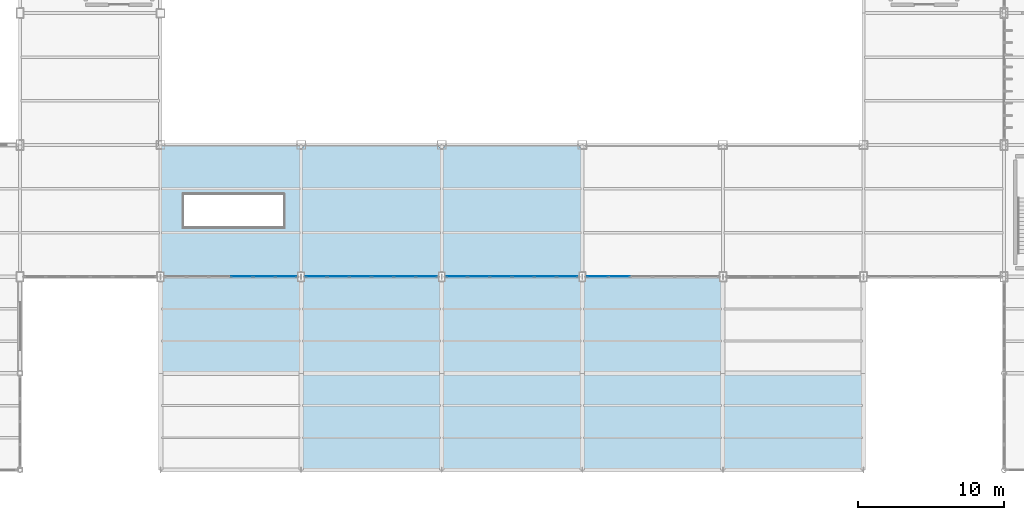
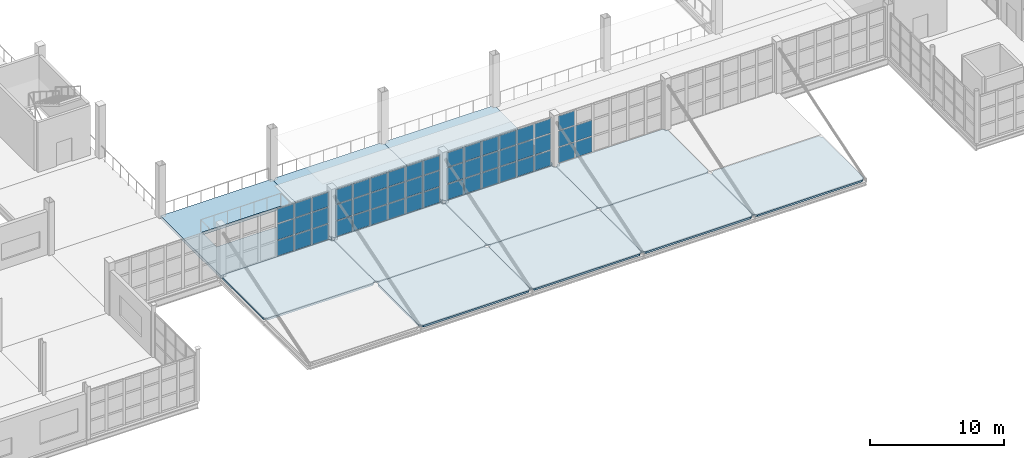
# One storey, part 77 of 120: 50 plates, 11 slabs, 4 elements without a shape of their own.
"""IFC4 building model written with IfcOpenShell, lengths in metres."""

from ifc_helpers import new_model, si_unit, direction, frame, origin, origin_2d, place, context, subcontext, project, spatial, polyline, rectangle, outline, extrude, material, layer, layer_set, type_object, element, aggregate, save


model = new_model("IFC4")

# Units and contexts
model_context = context("Model", 3, precision=1e-05, world=origin(), true_north=direction((0.0, 1.0)))
body_context = subcontext(model_context, "Body", "Model", "MODEL_VIEW")
ifc_project = project(units=[si_unit("LENGTHUNIT", "METRE"), si_unit("AREAUNIT", "SQUARE_METRE"), si_unit("VOLUMEUNIT", "CUBIC_METRE"), si_unit("PLANEANGLEUNIT", "RADIAN"), si_unit("MASSUNIT", "GRAM", prefix="KILO")], contexts=[model_context])

# Site, building, storey
site_placement = place(None, origin())
site = spatial("IfcSite", under=ifc_project, at=site_placement, CompositionType="ELEMENT")
building_placement = place(site_placement, origin())
building = spatial("IfcBuilding", under=site, at=building_placement, Name="Zarnetskaya Central Station", CompositionType="ELEMENT")
storey_placement = place(building_placement, frame((0.0, 0.0, 5.39990234375)))
storey = spatial("IfcBuildingStorey", under=building, at=storey_placement, Name="L01", CompositionType="ELEMENT", Elevation=5.39990234375)

# Curtain wall, plates
ifc_material_1 = material(Name="Low-E insulated glass", Category="glass")
ifc_layer_1 = layer(ifc_material_1, 0.159912109375, Name="Low-E insulated glass", Category="glass")
ifc_layer_set_1 = layer_set([ifc_layer_1], Name="Low-E insulated glass")
curtain_wall_type_1 = type_object("IfcCurtainWallType", Name="CW-SYS-11", PredefinedType="USERDEFINED", material=ifc_layer_set_1)
curtain_wall_1_placement = place(storey_placement, origin())
curtain_wall_1 = element("IfcCurtainWall", 1, at=curtain_wall_1_placement, inside=storey, type_object=curtain_wall_type_1, Name="Curtain wall CW-L01-080", ObjectType="CURTAIN WALL", PredefinedType="USERDEFINED")
ifc_layer_2 = layer(ifc_material_1, 0.028076171875, Name="Low-E insulated glass", Category="glass")
ifc_layer_set_2 = layer_set([ifc_layer_2], Name="Low-E insulated glass")
plate_type_1 = type_object("IfcPlateType", Name="CW-PAN-28", PredefinedType="CURTAIN_PANEL", material=ifc_layer_set_2)
plate_1_placement = place(storey_placement, frame((94.9716796875, 13.199951171875, 0.080078125), z_axis=(0.0, 0.0, 1.0), x_axis=(-1.0, 0.0, 0.0)))
plate_1 = element("IfcPlate", 2, at=plate_1_placement, type_object=plate_type_1, Name="CW-09 panel 1.1", PredefinedType="CURTAIN_PANEL", context=body_context, shape_type="SweptSolid", body=[
    extrude(rectangle(XDim=1.396728515625, YDim=0.028076171875, at=origin_2d()), origin(), (0.0, 0.0, 1.0), 1.39306640625),
])
plate_2_placement = place(storey_placement, frame((94.9716796875, 13.199951171875, 1.552978515625), z_axis=(0.0, 0.0, 1.0), x_axis=(-1.0, 0.0, 0.0)))
plate_2 = element("IfcPlate", 3, at=plate_2_placement, type_object=plate_type_1, Name="CW-09 panel 1.2", PredefinedType="CURTAIN_PANEL", context=body_context, shape_type="SweptSolid", body=[
    extrude(rectangle(XDim=1.396728515625, YDim=0.028076171875, at=origin_2d()), origin(), (0.0, 0.0, 1.0), 1.43310546875),
])
plate_3_placement = place(storey_placement, frame((94.9716796875, 13.199951171875, 3.06591796875), z_axis=(0.0, 0.0, 1.0), x_axis=(-1.0, 0.0, 0.0)))
plate_3 = element("IfcPlate", 4, at=plate_3_placement, type_object=plate_type_1, Name="CW-09 panel 1.3", PredefinedType="CURTAIN_PANEL", context=body_context, shape_type="SweptSolid", body=[
    extrude(rectangle(XDim=1.396728515625, YDim=0.028076171875, at=origin_2d()), origin(), (0.0, 0.0, 1.0), 1.303955078125),
])
plate_4_placement = place(storey_placement, frame((93.47509765625, 13.199951171875, 0.080078125), z_axis=(0.0, 0.0, 1.0), x_axis=(-1.0, 0.0, 0.0)))
plate_4 = element("IfcPlate", 5, at=plate_4_placement, type_object=plate_type_1, Name="CW-09 panel 2.1", PredefinedType="CURTAIN_PANEL", context=body_context, shape_type="SweptSolid", body=[
    extrude(rectangle(XDim=1.436767578125, YDim=0.028076171875, at=origin_2d()), origin(), (0.0, 0.0, 1.0), 1.39306640625),
])
plate_5_placement = place(storey_placement, frame((93.47509765625, 13.199951171875, 1.552978515625), z_axis=(0.0, 0.0, 1.0), x_axis=(-1.0, 0.0, 0.0)))
plate_5 = element("IfcPlate", 6, at=plate_5_placement, type_object=plate_type_1, Name="CW-09 panel 2.2", PredefinedType="CURTAIN_PANEL", context=body_context, shape_type="SweptSolid", body=[
    extrude(rectangle(XDim=1.436767578125, YDim=0.028076171875, at=origin_2d()), origin(), (0.0, 0.0, 1.0), 1.43310546875),
])
plate_6_placement = place(storey_placement, frame((93.47509765625, 13.199951171875, 3.06591796875), z_axis=(0.0, 0.0, 1.0), x_axis=(-1.0, 0.0, 0.0)))
plate_6 = element("IfcPlate", 7, at=plate_6_placement, type_object=plate_type_1, Name="CW-09 panel 2.3", PredefinedType="CURTAIN_PANEL", context=body_context, shape_type="SweptSolid", body=[
    extrude(rectangle(XDim=1.436767578125, YDim=0.028076171875, at=origin_2d()), origin(), (0.0, 0.0, 1.0), 1.303955078125),
])
plate_7_placement = place(storey_placement, frame((91.958251953125, 13.199951171875, 0.080078125), z_axis=(0.0, 0.0, 1.0), x_axis=(-1.0, 0.0, 0.0)))
plate_7 = element("IfcPlate", 8, at=plate_7_placement, type_object=plate_type_1, Name="CW-09 panel 3.1", PredefinedType="CURTAIN_PANEL", context=body_context, shape_type="SweptSolid", body=[
    extrude(rectangle(XDim=1.436767578125, YDim=0.028076171875, at=origin_2d()), origin(), (0.0, 0.0, 1.0), 1.39306640625),
])
plate_8_placement = place(storey_placement, frame((91.958251953125, 13.199951171875, 1.552978515625), z_axis=(0.0, 0.0, 1.0), x_axis=(-1.0, 0.0, 0.0)))
plate_8 = element("IfcPlate", 9, at=plate_8_placement, type_object=plate_type_1, Name="CW-09 panel 3.2", PredefinedType="CURTAIN_PANEL", context=body_context, shape_type="SweptSolid", body=[
    extrude(rectangle(XDim=1.436767578125, YDim=0.028076171875, at=origin_2d()), origin(), (0.0, 0.0, 1.0), 1.43310546875),
])
plate_9_placement = place(storey_placement, frame((91.958251953125, 13.199951171875, 3.06591796875), z_axis=(0.0, 0.0, 1.0), x_axis=(-1.0, 0.0, 0.0)))
plate_9 = element("IfcPlate", 10, at=plate_9_placement, type_object=plate_type_1, Name="CW-09 panel 3.3", PredefinedType="CURTAIN_PANEL", context=body_context, shape_type="SweptSolid", body=[
    extrude(rectangle(XDim=1.436767578125, YDim=0.028076171875, at=origin_2d()), origin(), (0.0, 0.0, 1.0), 1.303955078125),
])
plate_10_placement = place(storey_placement, frame((90.441650390625, 13.199951171875, 0.080078125), z_axis=(0.0, 0.0, 1.0), x_axis=(-1.0, 0.0, 0.0)))
plate_10 = element("IfcPlate", 11, at=plate_10_placement, type_object=plate_type_1, Name="CW-09 panel 4.1", PredefinedType="CURTAIN_PANEL", context=body_context, shape_type="SweptSolid", body=[
    extrude(rectangle(XDim=1.436767578125, YDim=0.028076171875, at=origin_2d()), origin(), (0.0, 0.0, 1.0), 1.39306640625),
])
plate_11_placement = place(storey_placement, frame((90.441650390625, 13.199951171875, 1.552978515625), z_axis=(0.0, 0.0, 1.0), x_axis=(-1.0, 0.0, 0.0)))
plate_11 = element("IfcPlate", 12, at=plate_11_placement, type_object=plate_type_1, Name="CW-09 panel 4.2", PredefinedType="CURTAIN_PANEL", context=body_context, shape_type="SweptSolid", body=[
    extrude(rectangle(XDim=1.436767578125, YDim=0.028076171875, at=origin_2d()), origin(), (0.0, 0.0, 1.0), 1.43310546875),
])
plate_12_placement = place(storey_placement, frame((90.441650390625, 13.199951171875, 3.06591796875), z_axis=(0.0, 0.0, 1.0), x_axis=(-1.0, 0.0, 0.0)))
plate_12 = element("IfcPlate", 13, at=plate_12_placement, type_object=plate_type_1, Name="CW-09 panel 4.3", PredefinedType="CURTAIN_PANEL", context=body_context, shape_type="SweptSolid", body=[
    extrude(rectangle(XDim=1.436767578125, YDim=0.028076171875, at=origin_2d()), origin(), (0.0, 0.0, 1.0), 1.303955078125),
])
plate_13_placement = place(storey_placement, frame((88.925048828125, 13.199951171875, 0.080078125), z_axis=(0.0, 0.0, 1.0), x_axis=(-1.0, 0.0, 0.0)))
plate_13 = element("IfcPlate", 14, at=plate_13_placement, type_object=plate_type_1, Name="CW-09 panel 5.1", PredefinedType="CURTAIN_PANEL", context=body_context, shape_type="SweptSolid", body=[
    extrude(rectangle(XDim=1.436767578125, YDim=0.028076171875, at=origin_2d()), origin(), (0.0, 0.0, 1.0), 1.39306640625),
])
plate_14_placement = place(storey_placement, frame((88.925048828125, 13.199951171875, 1.552978515625), z_axis=(0.0, 0.0, 1.0), x_axis=(-1.0, 0.0, 0.0)))
plate_14 = element("IfcPlate", 15, at=plate_14_placement, type_object=plate_type_1, Name="CW-09 panel 5.2", PredefinedType="CURTAIN_PANEL", context=body_context, shape_type="SweptSolid", body=[
    extrude(rectangle(XDim=1.436767578125, YDim=0.028076171875, at=origin_2d()), origin(), (0.0, 0.0, 1.0), 1.43310546875),
])
plate_15_placement = place(storey_placement, frame((88.925048828125, 13.199951171875, 3.06591796875), z_axis=(0.0, 0.0, 1.0), x_axis=(-1.0, 0.0, 0.0)))
plate_15 = element("IfcPlate", 16, at=plate_15_placement, type_object=plate_type_1, Name="CW-09 panel 5.3", PredefinedType="CURTAIN_PANEL", context=body_context, shape_type="SweptSolid", body=[
    extrude(rectangle(XDim=1.436767578125, YDim=0.028076171875, at=origin_2d()), origin(), (0.0, 0.0, 1.0), 1.303955078125),
])
plate_16_placement = place(storey_placement, frame((87.42822265625, 13.199951171875, 0.080078125), z_axis=(0.0, 0.0, 1.0), x_axis=(-1.0, 0.0, 0.0)))
plate_16 = element("IfcPlate", 17, at=plate_16_placement, type_object=plate_type_1, Name="CW-09 panel 6.1", PredefinedType="CURTAIN_PANEL", context=body_context, shape_type="SweptSolid", body=[
    extrude(rectangle(XDim=1.396728515625, YDim=0.028076171875, at=origin_2d()), origin(), (0.0, 0.0, 1.0), 1.39306640625),
])
plate_17_placement = place(storey_placement, frame((87.42822265625, 13.199951171875, 1.552978515625), z_axis=(0.0, 0.0, 1.0), x_axis=(-1.0, 0.0, 0.0)))
plate_17 = element("IfcPlate", 18, at=plate_17_placement, type_object=plate_type_1, Name="CW-09 panel 6.2", PredefinedType="CURTAIN_PANEL", context=body_context, shape_type="SweptSolid", body=[
    extrude(rectangle(XDim=1.396728515625, YDim=0.028076171875, at=origin_2d()), origin(), (0.0, 0.0, 1.0), 1.43310546875),
])
plate_18_placement = place(storey_placement, frame((87.42822265625, 13.199951171875, 3.06591796875), z_axis=(0.0, 0.0, 1.0), x_axis=(-1.0, 0.0, 0.0)))
plate_18 = element("IfcPlate", 19, at=plate_18_placement, type_object=plate_type_1, Name="CW-09 panel 6.3", PredefinedType="CURTAIN_PANEL", context=body_context, shape_type="SweptSolid", body=[
    extrude(rectangle(XDim=1.396728515625, YDim=0.028076171875, at=origin_2d()), origin(), (0.0, 0.0, 1.0), 1.303955078125),
])
aggregate(curtain_wall_1, [plate_1, plate_2, plate_3, plate_4, plate_5, plate_6, plate_7, plate_8, plate_9, plate_10, plate_11, plate_12, plate_13, plate_14, plate_15, plate_16, plate_17, plate_18])

ifc_layer_3 = layer(ifc_material_1, 0.172119140625, Name="Low-E insulated glass", Category="glass")
ifc_layer_set_3 = layer_set([ifc_layer_3], Name="Low-E insulated glass")
curtain_wall_type_2 = type_object("IfcCurtainWallType", Name="CW-SYS-09", PredefinedType="USERDEFINED", material=ifc_layer_set_3)
curtain_wall_2_placement = place(storey_placement, origin())
curtain_wall_2 = element("IfcCurtainWall", 20, at=curtain_wall_2_placement, inside=storey, type_object=curtain_wall_type_2, Name="Curtain wall CW-L01-076", ObjectType="CURTAIN WALL", PredefinedType="USERDEFINED")
ifc_layer_4 = layer(ifc_material_1, 0.031982421875, Name="Low-E insulated glass", Category="glass")
ifc_layer_set_4 = layer_set([ifc_layer_4], Name="Low-E insulated glass")
plate_type_2 = type_object("IfcPlateType", Name="CW-PAN-32", PredefinedType="CURTAIN_PANEL", material=ifc_layer_set_4)
plate_19_placement = place(storey_placement, frame((75.771728515625, 13.199951171875, 0.080078125), z_axis=(0.0, 0.0, 1.0), x_axis=(-1.0, 0.0, 0.0)))
plate_19 = element("IfcPlate", 21, at=plate_19_placement, type_object=plate_type_2, Name="CW-07 panel 1.1", PredefinedType="CURTAIN_PANEL", context=body_context, shape_type="SweptSolid", body=[
    extrude(rectangle(XDim=1.396728515625, YDim=0.031982421875, at=origin_2d()), origin(), (0.0, 0.0, 1.0), 1.39306640625),
])
plate_20_placement = place(storey_placement, frame((75.771728515625, 13.199951171875, 1.552978515625), z_axis=(0.0, 0.0, 1.0), x_axis=(-1.0, 0.0, 0.0)))
plate_20 = element("IfcPlate", 22, at=plate_20_placement, type_object=plate_type_2, Name="CW-07 panel 1.2", PredefinedType="CURTAIN_PANEL", context=body_context, shape_type="SweptSolid", body=[
    extrude(rectangle(XDim=1.396728515625, YDim=0.031982421875, at=origin_2d()), origin(), (0.0, 0.0, 1.0), 1.43310546875),
])
plate_21_placement = place(storey_placement, frame((75.771728515625, 13.199951171875, 3.06591796875), z_axis=(0.0, 0.0, 1.0), x_axis=(-1.0, 0.0, 0.0)))
plate_21 = element("IfcPlate", 23, at=plate_21_placement, type_object=plate_type_2, Name="CW-07 panel 1.3", PredefinedType="CURTAIN_PANEL", context=body_context, shape_type="SweptSolid", body=[
    extrude(rectangle(XDim=1.396728515625, YDim=0.031982421875, at=origin_2d()), origin(), (0.0, 0.0, 1.0), 1.303955078125),
])
plate_22_placement = place(storey_placement, frame((74.27490234375, 13.199951171875, 0.080078125), z_axis=(0.0, 0.0, 1.0), x_axis=(-1.0, 0.0, 0.0)))
plate_22 = element("IfcPlate", 24, at=plate_22_placement, type_object=plate_type_2, Name="CW-07 panel 2.1", PredefinedType="CURTAIN_PANEL", context=body_context, shape_type="SweptSolid", body=[
    extrude(rectangle(XDim=1.436767578125, YDim=0.031982421875, at=origin_2d()), origin(), (0.0, 0.0, 1.0), 1.39306640625),
])
plate_23_placement = place(storey_placement, frame((74.27490234375, 13.199951171875, 1.552978515625), z_axis=(0.0, 0.0, 1.0), x_axis=(-1.0, 0.0, 0.0)))
plate_23 = element("IfcPlate", 25, at=plate_23_placement, type_object=plate_type_2, Name="CW-07 panel 2.2", PredefinedType="CURTAIN_PANEL", context=body_context, shape_type="SweptSolid", body=[
    extrude(rectangle(XDim=1.436767578125, YDim=0.031982421875, at=origin_2d()), origin(), (0.0, 0.0, 1.0), 1.43310546875),
])
plate_24_placement = place(storey_placement, frame((74.27490234375, 13.199951171875, 3.06591796875), z_axis=(0.0, 0.0, 1.0), x_axis=(-1.0, 0.0, 0.0)))
plate_24 = element("IfcPlate", 26, at=plate_24_placement, type_object=plate_type_2, Name="CW-07 panel 2.3", PredefinedType="CURTAIN_PANEL", context=body_context, shape_type="SweptSolid", body=[
    extrude(rectangle(XDim=1.436767578125, YDim=0.031982421875, at=origin_2d()), origin(), (0.0, 0.0, 1.0), 1.303955078125),
])
plate_25_placement = place(storey_placement, frame((72.75830078125, 13.199951171875, 0.080078125), z_axis=(0.0, 0.0, 1.0), x_axis=(-1.0, 0.0, 0.0)))
plate_25 = element("IfcPlate", 27, at=plate_25_placement, type_object=plate_type_2, Name="CW-07 panel 3.1", PredefinedType="CURTAIN_PANEL", context=body_context, shape_type="SweptSolid", body=[
    extrude(rectangle(XDim=1.436767578125, YDim=0.031982421875, at=origin_2d()), origin(), (0.0, 0.0, 1.0), 1.39306640625),
])
plate_26_placement = place(storey_placement, frame((72.75830078125, 13.199951171875, 1.552978515625), z_axis=(0.0, 0.0, 1.0), x_axis=(-1.0, 0.0, 0.0)))
plate_26 = element("IfcPlate", 28, at=plate_26_placement, type_object=plate_type_2, Name="CW-07 panel 3.2", PredefinedType="CURTAIN_PANEL", context=body_context, shape_type="SweptSolid", body=[
    extrude(rectangle(XDim=1.436767578125, YDim=0.031982421875, at=origin_2d()), origin(), (0.0, 0.0, 1.0), 1.43310546875),
])
plate_27_placement = place(storey_placement, frame((72.75830078125, 13.199951171875, 3.06591796875), z_axis=(0.0, 0.0, 1.0), x_axis=(-1.0, 0.0, 0.0)))
plate_27 = element("IfcPlate", 29, at=plate_27_placement, type_object=plate_type_2, Name="CW-07 panel 3.3", PredefinedType="CURTAIN_PANEL", context=body_context, shape_type="SweptSolid", body=[
    extrude(rectangle(XDim=1.436767578125, YDim=0.031982421875, at=origin_2d()), origin(), (0.0, 0.0, 1.0), 1.303955078125),
])
aggregate(curtain_wall_2, [plate_19, plate_20, plate_21, plate_22, plate_23, plate_24, plate_25, plate_26, plate_27])

ifc_layer_5 = layer(ifc_material_1, 0.1640625, Name="Low-E insulated glass", Category="glass")
ifc_layer_set_5 = layer_set([ifc_layer_5], Name="Low-E insulated glass")
curtain_wall_type_3 = type_object("IfcCurtainWallType", Name="CW-SYS-12", PredefinedType="USERDEFINED", material=ifc_layer_set_5)
curtain_wall_3_placement = place(storey_placement, origin())
curtain_wall_3 = element("IfcCurtainWall", 30, at=curtain_wall_3_placement, inside=storey, type_object=curtain_wall_type_3, Name="Curtain wall CW-L01-082", ObjectType="CURTAIN WALL", PredefinedType="USERDEFINED")
ifc_layer_6 = layer(ifc_material_1, 0.035888671875, Name="Low-E insulated glass", Category="glass")
ifc_layer_set_6 = layer_set([ifc_layer_6], Name="Low-E insulated glass")
plate_type_3 = type_object("IfcPlateType", Name="CW-PAN-36", PredefinedType="CURTAIN_PANEL", material=ifc_layer_set_6)
plate_28_placement = place(storey_placement, frame((98.52490234375, 13.199951171875, 0.080078125), z_axis=(0.0, 0.0, 1.0), x_axis=(-1.0, 0.0, 0.0)))
plate_28 = element("IfcPlate", 31, at=plate_28_placement, type_object=plate_type_3, Name="CW-18 panel 5.1", PredefinedType="CURTAIN_PANEL", context=body_context, shape_type="SweptSolid", body=[
    extrude(rectangle(XDim=1.436767578125, YDim=0.035888671875, at=origin_2d()), origin(), (0.0, 0.0, 1.0), 1.39306640625),
])
plate_29_placement = place(storey_placement, frame((98.52490234375, 13.199951171875, 1.552978515625), z_axis=(0.0, 0.0, 1.0), x_axis=(-1.0, 0.0, 0.0)))
plate_29 = element("IfcPlate", 32, at=plate_29_placement, type_object=plate_type_3, Name="CW-18 panel 5.2", PredefinedType="CURTAIN_PANEL", context=body_context, shape_type="SweptSolid", body=[
    extrude(rectangle(XDim=1.436767578125, YDim=0.035888671875, at=origin_2d()), origin(), (0.0, 0.0, 1.0), 1.43310546875),
])
plate_30_placement = place(storey_placement, frame((97.0283203125, 13.199951171875, 0.080078125), z_axis=(0.0, 0.0, 1.0), x_axis=(-1.0, 0.0, 0.0)))
plate_30 = element("IfcPlate", 33, at=plate_30_placement, type_object=plate_type_3, Name="CW-18 panel 6.1", PredefinedType="CURTAIN_PANEL", context=body_context, shape_type="SweptSolid", body=[
    extrude(rectangle(XDim=1.396728515625, YDim=0.035888671875, at=origin_2d()), origin(), (0.0, 0.0, 1.0), 1.39306640625),
])
plate_31_placement = place(storey_placement, frame((97.0283203125, 13.199951171875, 1.552978515625), z_axis=(0.0, 0.0, 1.0), x_axis=(-1.0, 0.0, 0.0)))
plate_31 = element("IfcPlate", 34, at=plate_31_placement, type_object=plate_type_3, Name="CW-18 panel 6.2", PredefinedType="CURTAIN_PANEL", context=body_context, shape_type="SweptSolid", body=[
    extrude(rectangle(XDim=1.396728515625, YDim=0.035888671875, at=origin_2d()), origin(), (0.0, 0.0, 1.0), 1.43310546875),
])
plate_32_placement = place(storey_placement, frame((97.0283203125, 13.199951171875, 3.06591796875), z_axis=(0.0, 0.0, 1.0), x_axis=(-1.0, 0.0, 0.0)))
plate_32 = element("IfcPlate", 35, at=plate_32_placement, type_object=plate_type_3, Name="CW-18 panel 6.3", PredefinedType="CURTAIN_PANEL", context=body_context, shape_type="SweptSolid", body=[
    extrude(rectangle(XDim=1.396728515625, YDim=0.035888671875, at=origin_2d()), origin(), (0.0, 0.0, 1.0), 1.303955078125),
])
aggregate(curtain_wall_3, [plate_28, plate_29, plate_30, plate_31, plate_32])

ifc_layer_7 = layer(ifc_material_1, 0.176025390625, Name="Low-E insulated glass", Category="glass")
ifc_layer_set_7 = layer_set([ifc_layer_7], Name="Low-E insulated glass")
curtain_wall_type_4 = type_object("IfcCurtainWallType", Name="CW-SYS-10", PredefinedType="USERDEFINED", material=ifc_layer_set_7)
curtain_wall_4_placement = place(storey_placement, origin())
curtain_wall_4 = element("IfcCurtainWall", 36, at=curtain_wall_4_placement, inside=storey, type_object=curtain_wall_type_4, Name="Curtain wall CW-L01-078", ObjectType="CURTAIN WALL", PredefinedType="USERDEFINED")
ifc_layer_8 = layer(ifc_material_1, 0.0400390625, Name="Low-E insulated glass", Category="glass")
ifc_layer_set_8 = layer_set([ifc_layer_8], Name="Low-E insulated glass")
plate_type_4 = type_object("IfcPlateType", Name="CW-PAN-40", PredefinedType="CURTAIN_PANEL", material=ifc_layer_set_8)
plate_33_placement = place(storey_placement, frame((85.37158203125, 13.199951171875, 0.080078125), z_axis=(0.0, 0.0, 1.0), x_axis=(-1.0, 0.0, 0.0)))
plate_33 = element("IfcPlate", 37, at=plate_33_placement, type_object=plate_type_4, Name="CW-13 panel 1.1", PredefinedType="CURTAIN_PANEL", context=body_context, shape_type="SweptSolid", body=[
    extrude(rectangle(XDim=1.396728515625, YDim=0.0400390625, at=origin_2d()), origin(), (0.0, 0.0, 1.0), 1.39306640625),
])
plate_34_placement = place(storey_placement, frame((85.37158203125, 13.199951171875, 1.552978515625), z_axis=(0.0, 0.0, 1.0), x_axis=(-1.0, 0.0, 0.0)))
plate_34 = element("IfcPlate", 38, at=plate_34_placement, type_object=plate_type_4, Name="CW-13 panel 1.2", PredefinedType="CURTAIN_PANEL", context=body_context, shape_type="SweptSolid", body=[
    extrude(rectangle(XDim=1.396728515625, YDim=0.0400390625, at=origin_2d()), origin(), (0.0, 0.0, 1.0), 1.43310546875),
])
plate_35_placement = place(storey_placement, frame((85.37158203125, 13.199951171875, 3.06591796875), z_axis=(0.0, 0.0, 1.0), x_axis=(-1.0, 0.0, 0.0)))
plate_35 = element("IfcPlate", 39, at=plate_35_placement, type_object=plate_type_4, Name="CW-13 panel 1.3", PredefinedType="CURTAIN_PANEL", context=body_context, shape_type="SweptSolid", body=[
    extrude(rectangle(XDim=1.396728515625, YDim=0.0400390625, at=origin_2d()), origin(), (0.0, 0.0, 1.0), 1.303955078125),
])
plate_36_placement = place(storey_placement, frame((83.875, 13.199951171875, 0.080078125), z_axis=(0.0, 0.0, 1.0), x_axis=(-1.0, 0.0, 0.0)))
plate_36 = element("IfcPlate", 40, at=plate_36_placement, type_object=plate_type_4, Name="CW-13 panel 2.1", PredefinedType="CURTAIN_PANEL", context=body_context, shape_type="SweptSolid", body=[
    extrude(rectangle(XDim=1.436767578125, YDim=0.0400390625, at=origin_2d()), origin(), (0.0, 0.0, 1.0), 1.39306640625),
])
plate_37_placement = place(storey_placement, frame((83.875, 13.199951171875, 1.552978515625), z_axis=(0.0, 0.0, 1.0), x_axis=(-1.0, 0.0, 0.0)))
plate_37 = element("IfcPlate", 41, at=plate_37_placement, type_object=plate_type_4, Name="CW-13 panel 2.2", PredefinedType="CURTAIN_PANEL", context=body_context, shape_type="SweptSolid", body=[
    extrude(rectangle(XDim=1.436767578125, YDim=0.0400390625, at=origin_2d()), origin(), (0.0, 0.0, 1.0), 1.43310546875),
])
plate_38_placement = place(storey_placement, frame((83.875, 13.199951171875, 3.06591796875), z_axis=(0.0, 0.0, 1.0), x_axis=(-1.0, 0.0, 0.0)))
plate_38 = element("IfcPlate", 42, at=plate_38_placement, type_object=plate_type_4, Name="CW-13 panel 2.3", PredefinedType="CURTAIN_PANEL", context=body_context, shape_type="SweptSolid", body=[
    extrude(rectangle(XDim=1.436767578125, YDim=0.0400390625, at=origin_2d()), origin(), (0.0, 0.0, 1.0), 1.303955078125),
])
plate_39_placement = place(storey_placement, frame((82.3583984375, 13.199951171875, 0.080078125), z_axis=(0.0, 0.0, 1.0), x_axis=(-1.0, 0.0, 0.0)))
plate_39 = element("IfcPlate", 43, at=plate_39_placement, type_object=plate_type_4, Name="CW-13 panel 3.1", PredefinedType="CURTAIN_PANEL", context=body_context, shape_type="SweptSolid", body=[
    extrude(rectangle(XDim=1.436767578125, YDim=0.0400390625, at=origin_2d()), origin(), (0.0, 0.0, 1.0), 1.39306640625),
])
plate_40_placement = place(storey_placement, frame((82.3583984375, 13.199951171875, 1.552978515625), z_axis=(0.0, 0.0, 1.0), x_axis=(-1.0, 0.0, 0.0)))
plate_40 = element("IfcPlate", 44, at=plate_40_placement, type_object=plate_type_4, Name="CW-13 panel 3.2", PredefinedType="CURTAIN_PANEL", context=body_context, shape_type="SweptSolid", body=[
    extrude(rectangle(XDim=1.436767578125, YDim=0.0400390625, at=origin_2d()), origin(), (0.0, 0.0, 1.0), 1.43310546875),
])
plate_41_placement = place(storey_placement, frame((82.3583984375, 13.199951171875, 3.06591796875), z_axis=(0.0, 0.0, 1.0), x_axis=(-1.0, 0.0, 0.0)))
plate_41 = element("IfcPlate", 45, at=plate_41_placement, type_object=plate_type_4, Name="CW-13 panel 3.3", PredefinedType="CURTAIN_PANEL", context=body_context, shape_type="SweptSolid", body=[
    extrude(rectangle(XDim=1.436767578125, YDim=0.0400390625, at=origin_2d()), origin(), (0.0, 0.0, 1.0), 1.303955078125),
])
plate_42_placement = place(storey_placement, frame((80.841552734375, 13.199951171875, 0.080078125), z_axis=(0.0, 0.0, 1.0), x_axis=(-1.0, 0.0, 0.0)))
plate_42 = element("IfcPlate", 46, at=plate_42_placement, type_object=plate_type_4, Name="CW-13 panel 4.1", PredefinedType="CURTAIN_PANEL", context=body_context, shape_type="SweptSolid", body=[
    extrude(rectangle(XDim=1.436767578125, YDim=0.0400390625, at=origin_2d()), origin(), (0.0, 0.0, 1.0), 1.39306640625),
])
plate_43_placement = place(storey_placement, frame((80.841552734375, 13.199951171875, 1.552978515625), z_axis=(0.0, 0.0, 1.0), x_axis=(-1.0, 0.0, 0.0)))
plate_43 = element("IfcPlate", 47, at=plate_43_placement, type_object=plate_type_4, Name="CW-13 panel 4.2", PredefinedType="CURTAIN_PANEL", context=body_context, shape_type="SweptSolid", body=[
    extrude(rectangle(XDim=1.436767578125, YDim=0.0400390625, at=origin_2d()), origin(), (0.0, 0.0, 1.0), 1.43310546875),
])
plate_44_placement = place(storey_placement, frame((80.841552734375, 13.199951171875, 3.06591796875), z_axis=(0.0, 0.0, 1.0), x_axis=(-1.0, 0.0, 0.0)))
plate_44 = element("IfcPlate", 48, at=plate_44_placement, type_object=plate_type_4, Name="CW-13 panel 4.3", PredefinedType="CURTAIN_PANEL", context=body_context, shape_type="SweptSolid", body=[
    extrude(rectangle(XDim=1.436767578125, YDim=0.0400390625, at=origin_2d()), origin(), (0.0, 0.0, 1.0), 1.303955078125),
])
plate_45_placement = place(storey_placement, frame((79.324951171875, 13.199951171875, 0.080078125), z_axis=(0.0, 0.0, 1.0), x_axis=(-1.0, 0.0, 0.0)))
plate_45 = element("IfcPlate", 49, at=plate_45_placement, type_object=plate_type_4, Name="CW-13 panel 5.1", PredefinedType="CURTAIN_PANEL", context=body_context, shape_type="SweptSolid", body=[
    extrude(rectangle(XDim=1.436767578125, YDim=0.0400390625, at=origin_2d()), origin(), (0.0, 0.0, 1.0), 1.39306640625),
])
plate_46_placement = place(storey_placement, frame((79.324951171875, 13.199951171875, 1.552978515625), z_axis=(0.0, 0.0, 1.0), x_axis=(-1.0, 0.0, 0.0)))
plate_46 = element("IfcPlate", 50, at=plate_46_placement, type_object=plate_type_4, Name="CW-13 panel 5.2", PredefinedType="CURTAIN_PANEL", context=body_context, shape_type="SweptSolid", body=[
    extrude(rectangle(XDim=1.436767578125, YDim=0.0400390625, at=origin_2d()), origin(), (0.0, 0.0, 1.0), 1.43310546875),
])
plate_47_placement = place(storey_placement, frame((79.324951171875, 13.199951171875, 3.06591796875), z_axis=(0.0, 0.0, 1.0), x_axis=(-1.0, 0.0, 0.0)))
plate_47 = element("IfcPlate", 51, at=plate_47_placement, type_object=plate_type_4, Name="CW-13 panel 5.3", PredefinedType="CURTAIN_PANEL", context=body_context, shape_type="SweptSolid", body=[
    extrude(rectangle(XDim=1.436767578125, YDim=0.0400390625, at=origin_2d()), origin(), (0.0, 0.0, 1.0), 1.303955078125),
])
plate_48_placement = place(storey_placement, frame((77.828369140625, 13.199951171875, 0.080078125), z_axis=(0.0, 0.0, 1.0), x_axis=(-1.0, 0.0, 0.0)))
plate_48 = element("IfcPlate", 52, at=plate_48_placement, type_object=plate_type_4, Name="CW-13 panel 6.1", PredefinedType="CURTAIN_PANEL", context=body_context, shape_type="SweptSolid", body=[
    extrude(rectangle(XDim=1.396728515625, YDim=0.0400390625, at=origin_2d()), origin(), (0.0, 0.0, 1.0), 1.39306640625),
])
plate_49_placement = place(storey_placement, frame((77.828369140625, 13.199951171875, 1.552978515625), z_axis=(0.0, 0.0, 1.0), x_axis=(-1.0, 0.0, 0.0)))
plate_49 = element("IfcPlate", 53, at=plate_49_placement, type_object=plate_type_4, Name="CW-13 panel 6.2", PredefinedType="CURTAIN_PANEL", context=body_context, shape_type="SweptSolid", body=[
    extrude(rectangle(XDim=1.396728515625, YDim=0.0400390625, at=origin_2d()), origin(), (0.0, 0.0, 1.0), 1.43310546875),
])
plate_50_placement = place(storey_placement, frame((77.828369140625, 13.199951171875, 3.06591796875), z_axis=(0.0, 0.0, 1.0), x_axis=(-1.0, 0.0, 0.0)))
plate_50 = element("IfcPlate", 54, at=plate_50_placement, type_object=plate_type_4, Name="CW-13 panel 6.3", PredefinedType="CURTAIN_PANEL", context=body_context, shape_type="SweptSolid", body=[
    extrude(rectangle(XDim=1.396728515625, YDim=0.0400390625, at=origin_2d()), origin(), (0.0, 0.0, 1.0), 1.303955078125),
])
aggregate(curtain_wall_4, [plate_33, plate_34, plate_35, plate_36, plate_37, plate_38, plate_39, plate_40, plate_41, plate_42, plate_43, plate_44, plate_45, plate_46, plate_47, plate_48, plate_49, plate_50])

# Slabs
ifc_material_2 = material(Name="Concrete C30/37", Category="concrete")
ifc_layer_9 = layer(ifc_material_2, 0.159912109375, Name="Concrete C30/37", Category="concrete")
ifc_layer_set_9 = layer_set([ifc_layer_9], Name="Concrete C30/37")
slab_type_1 = type_object("IfcSlabType", Name="ROOF-CANOPY-160", PredefinedType="ROOF", material=ifc_layer_set_9)
slab_1_placement = place(storey_placement, frame((0.0, 0.0, -0.159912109375)))
element("IfcSlab", 55, at=slab_1_placement, inside=storey, type_object=slab_type_1, Name="Forecourt canopy deck H-J/2-3", PredefinedType="ROOF", context=body_context, shape_type="SweptSolid", body=[
    extrude(outline(polyline([(67.47998046875, 6.60009765625), (76.52001953125, 6.60009765625), (76.800048828125, 6.8798828125), (76.800048828125, 12.919921875), (76.52001953125, 13.199951171875), (67.47998046875, 13.199951171875), (67.199951171875, 12.919921875), (67.199951171875, 6.8798828125), (67.47998046875, 6.60009765625)])), origin(), (0.0, 0.0, 1.0), 0.159912109375),
])
slab_2_placement = place(storey_placement, frame((0.0, 0.0, -0.159912109375)))
element("IfcSlab", 56, at=slab_2_placement, inside=storey, type_object=slab_type_1, Name="Forecourt canopy deck J-K/1-2", PredefinedType="ROOF", context=body_context, shape_type="SweptSolid", body=[
    extrude(outline(polyline([(77.080078125, 0.0), (86.1201171875, 0.0), (86.39990234375, 0.280029296875), (86.39990234375, 6.320068359375), (86.1201171875, 6.60009765625), (77.080078125, 6.60009765625), (76.800048828125, 6.320068359375), (76.800048828125, 0.280029296875), (77.080078125, 0.0)])), origin(), (0.0, 0.0, 1.0), 0.159912109375),
])
slab_3_placement = place(storey_placement, frame((0.0, 0.0, -0.159912109375)))
element("IfcSlab", 57, at=slab_3_placement, inside=storey, type_object=slab_type_1, Name="Forecourt canopy deck J-K/2-3", PredefinedType="ROOF", context=body_context, shape_type="SweptSolid", body=[
    extrude(outline(polyline([(77.080078125, 6.60009765625), (86.1201171875, 6.60009765625), (86.39990234375, 6.8798828125), (86.39990234375, 12.919921875), (86.1201171875, 13.199951171875), (77.080078125, 13.199951171875), (76.800048828125, 12.919921875), (76.800048828125, 6.8798828125), (77.080078125, 6.60009765625)])), origin(), (0.0, 0.0, 1.0), 0.159912109375),
])
slab_4_placement = place(storey_placement, frame((0.0, 0.0, -0.159912109375)))
element("IfcSlab", 58, at=slab_4_placement, inside=storey, type_object=slab_type_1, Name="Forecourt canopy deck K-L/1-2", PredefinedType="ROOF", context=body_context, shape_type="SweptSolid", body=[
    extrude(outline(polyline([(86.679931640625, 0.0), (95.719970703125, 0.0), (96.0, 0.280029296875), (96.0, 6.320068359375), (95.719970703125, 6.60009765625), (86.679931640625, 6.60009765625), (86.39990234375, 6.320068359375), (86.39990234375, 0.280029296875), (86.679931640625, 0.0)])), origin(), (0.0, 0.0, 1.0), 0.159912109375),
])
slab_5_placement = place(storey_placement, frame((0.0, 0.0, -0.159912109375)))
element("IfcSlab", 59, at=slab_5_placement, inside=storey, type_object=slab_type_1, Name="Forecourt canopy deck K-L/2-3", PredefinedType="ROOF", context=body_context, shape_type="SweptSolid", body=[
    extrude(outline(polyline([(86.679931640625, 6.60009765625), (95.719970703125, 6.60009765625), (96.0, 6.8798828125), (96.0, 12.919921875), (95.719970703125, 13.199951171875), (86.679931640625, 13.199951171875), (86.39990234375, 12.919921875), (86.39990234375, 6.8798828125), (86.679931640625, 6.60009765625)])), origin(), (0.0, 0.0, 1.0), 0.159912109375),
])
slab_6_placement = place(storey_placement, frame((0.0, 0.0, -0.159912109375)))
element("IfcSlab", 60, at=slab_6_placement, inside=storey, type_object=slab_type_1, Name="Forecourt canopy deck L-M/1-2", PredefinedType="ROOF", context=body_context, shape_type="SweptSolid", body=[
    extrude(outline(polyline([(96.280029296875, 0.0), (105.320068359375, 0.0), (105.60009765625, 0.280029296875), (105.60009765625, 6.320068359375), (105.320068359375, 6.60009765625), (96.280029296875, 6.60009765625), (96.0, 6.320068359375), (96.0, 0.280029296875), (96.280029296875, 0.0)])), origin(), (0.0, 0.0, 1.0), 0.159912109375),
])
slab_7_placement = place(storey_placement, frame((0.0, 0.0, -0.159912109375)))
element("IfcSlab", 61, at=slab_7_placement, inside=storey, type_object=slab_type_1, Name="Forecourt canopy deck L-M/2-3", PredefinedType="ROOF", context=body_context, shape_type="SweptSolid", body=[
    extrude(outline(polyline([(96.280029296875, 6.60009765625), (105.320068359375, 6.60009765625), (105.60009765625, 6.8798828125), (105.60009765625, 12.919921875), (105.320068359375, 13.199951171875), (96.280029296875, 13.199951171875), (96.0, 12.919921875), (96.0, 6.8798828125), (96.280029296875, 6.60009765625)])), origin(), (0.0, 0.0, 1.0), 0.159912109375),
])
slab_8_placement = place(storey_placement, frame((0.0, 0.0, -0.159912109375)))
element("IfcSlab", 62, at=slab_8_placement, inside=storey, type_object=slab_type_1, Name="Forecourt canopy deck M-N/1-2", PredefinedType="ROOF", context=body_context, shape_type="SweptSolid", body=[
    extrude(outline(polyline([(105.8798828125, 0.0), (114.919921875, 0.0), (115.199951171875, 0.280029296875), (115.199951171875, 6.320068359375), (114.919921875, 6.60009765625), (105.8798828125, 6.60009765625), (105.60009765625, 6.320068359375), (105.60009765625, 0.280029296875), (105.8798828125, 0.0)])), origin(), (0.0, 0.0, 1.0), 0.159912109375),
])
ifc_layer_10 = layer(ifc_material_2, 0.280029296875, Name="Concrete C30/37", Category="concrete")
ifc_layer_set_10 = layer_set([ifc_layer_10], Name="Concrete C30/37")
slab_type_2 = type_object("IfcSlabType", Name="SLAB-BRG-280", PredefinedType="FLOOR", material=ifc_layer_set_10)
slab_9_placement = place(storey_placement, frame((0.0, 0.0, -0.27978515625)))
element("IfcSlab", 63, at=slab_9_placement, inside=storey, type_object=slab_type_2, Name="L01 slab H-J/3-4", PredefinedType="FLOOR", context=body_context, shape_type="SweptSolid", body=[
    extrude(outline(polyline([(67.199951171875, 13.199951171875), (76.800048828125, 13.199951171875), (76.800048828125, 22.199951171875), (67.199951171875, 22.199951171875), (67.199951171875, 13.199951171875)]), holes=[polyline([(68.800048828125, 16.60009765625), (75.60009765625, 16.60009765625), (75.60009765625, 18.800048828125), (68.800048828125, 18.800048828125), (68.800048828125, 16.60009765625)])]), origin(), (0.0, 0.0, 1.0), 0.27978515625),
])
slab_10_placement = place(storey_placement, frame((0.0, 0.0, -0.27978515625)))
element("IfcSlab", 64, at=slab_10_placement, inside=storey, type_object=slab_type_2, Name="L01 slab J-K/3-4", PredefinedType="FLOOR", context=body_context, shape_type="SweptSolid", body=[
    extrude(outline(polyline([(77.10009765625, 13.199951171875), (86.10009765625, 13.199951171875), (86.39990234375, 13.5), (86.39990234375, 21.89990234375), (86.10009765625, 22.199951171875), (77.10009765625, 22.199951171875), (76.800048828125, 21.89990234375), (76.800048828125, 13.5), (77.10009765625, 13.199951171875)])), origin(), (0.0, 0.0, 1.0), 0.27978515625),
])
slab_11_placement = place(storey_placement, frame((0.0, 0.0, -0.27978515625)))
element("IfcSlab", 65, at=slab_11_placement, inside=storey, type_object=slab_type_2, Name="L01 slab K-L/3-4", PredefinedType="FLOOR", context=body_context, shape_type="SweptSolid", body=[
    extrude(outline(polyline([(86.699951171875, 13.199951171875), (95.699951171875, 13.199951171875), (96.0, 13.5), (96.0, 21.89990234375), (95.699951171875, 22.199951171875), (86.699951171875, 22.199951171875), (86.39990234375, 21.89990234375), (86.39990234375, 13.5), (86.699951171875, 13.199951171875)])), origin(), (0.0, 0.0, 1.0), 0.27978515625),
])

save(model, "model.ifc")
